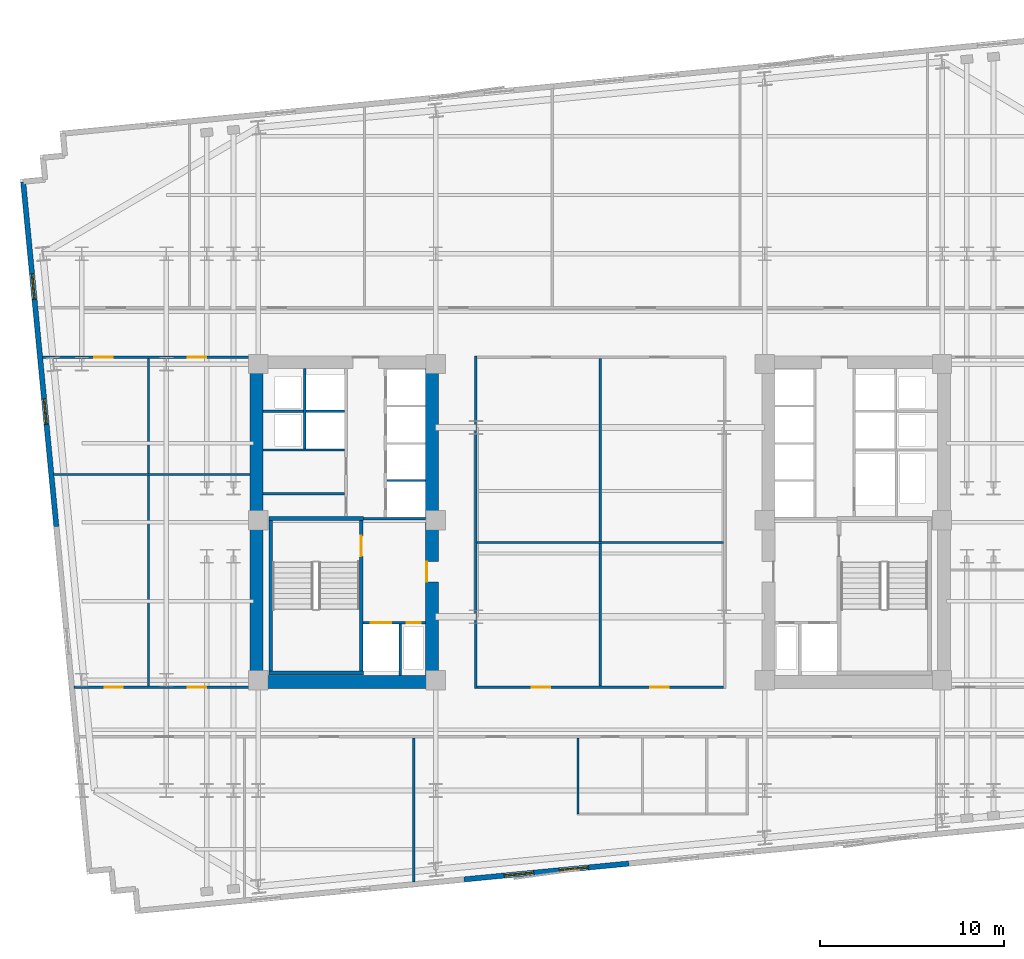
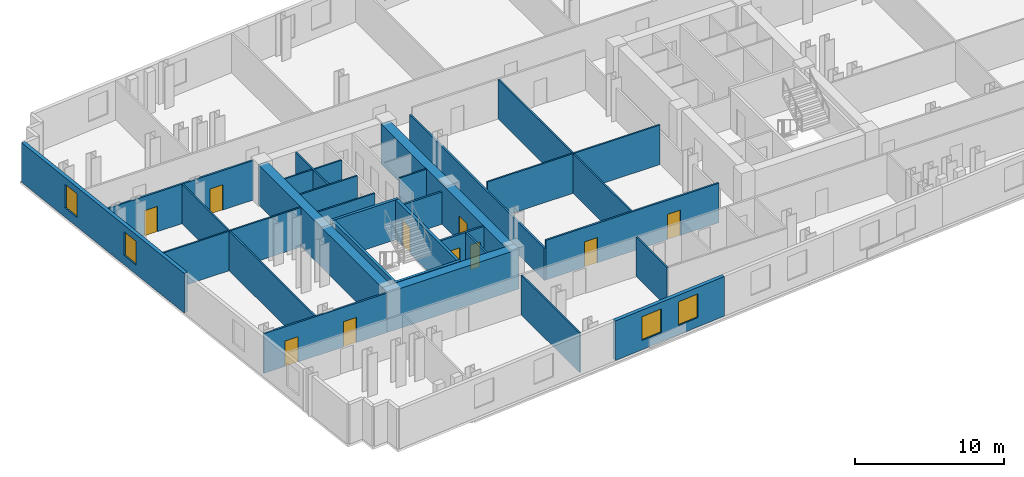
# One storey, part 4 of 11: 28 walls, 10 doors, 4 windows, 14 openings.
"""IFC4 building model written with IfcOpenShell, lengths in metres."""

from ifc_helpers import new_model, si_unit, direction, frame, frame_2d, origin, place, context, subcontext, project, spatial, rectangle, extrude, material, layer, layer_set, type_object, element, fill, save


model = new_model("IFC4")

# Units and contexts
model_context = context("Model", 3, precision=1e-05, world=origin(), true_north=direction((0.0, 1.0)))
body_context = subcontext(model_context, "Body", "Model", "MODEL_VIEW")
ifc_project = project(units=[si_unit("LENGTHUNIT", "METRE"), si_unit("AREAUNIT", "SQUARE_METRE"), si_unit("VOLUMEUNIT", "CUBIC_METRE"), si_unit("PLANEANGLEUNIT", "RADIAN"), si_unit("MASSUNIT", "GRAM", prefix="KILO")], contexts=[model_context])

# Site, building, storey
site_placement = place(None, origin())
site = spatial("IfcSite", under=ifc_project, at=site_placement, CompositionType="ELEMENT")
building_placement = place(site_placement, origin())
building = spatial("IfcBuilding", under=site, at=building_placement, Name="Velakula Bourse", CompositionType="ELEMENT")
storey_placement = place(building_placement, frame((0.0, 0.0, 101.800048828125)))
storey = spatial("IfcBuildingStorey", under=building, at=storey_placement, Name="L27", CompositionType="ELEMENT", Elevation=101.800048828125)

# Wall, opening, door
ifc_material_1 = material(Name="Concrete M50 (fck 50 MPa)", Category="concrete")
ifc_layer_1 = layer(ifc_material_1, 0.2099609375, Name="Concrete M50 (fck 50 MPa)", Category="concrete")
ifc_layer_set_1 = layer_set([ifc_layer_1], Name="Concrete M50 (fck 50 MPa)")
wall_type_1 = type_object("IfcWallType", Name="WL-CORE-210", PredefinedType="SHEAR", material=ifc_layer_set_1)
wall_1_placement = place(storey_placement, frame((-12.9951171875, -8.10009765625, 0.0), z_axis=(0.0, 0.0, 1.0), x_axis=(0.0, 1.0, 0.0)))
wall_1 = element("IfcWall", 1, at=wall_1_placement, inside=storey, type_object=wall_type_1, Name="L27 Core W Stairwell Shear Wall IN", PredefinedType="SHEAR", context=body_context, shape_type="SweptSolid", body=[
    extrude(rectangle(XDim=8.2001953125, YDim=0.2099609375, at=frame_2d((4.10009765625, 0.0))), origin(), (0.0, 0.0, 1.0), 3.27001953125),
])
opening_1_placement = place(wall_1_placement, frame((6.25, 0.0, 0.0)))
opening_1 = element("IfcOpeningElement", 2, at=opening_1_placement, cuts=wall_1, Name="Opening D-STW1", PredefinedType="OPENING", context=body_context, shape_type="SweptSolid", body=[
    extrude(rectangle(XDim=1.10009765625, YDim=2.14990234375, at=frame_2d((0.550048828125, 1.074951171875))), frame((0.0, 0.114990234375, 0.0), z_axis=(0.0, -1.0, 0.0), x_axis=(1.0, 0.0, 0.0)), (0.0, 0.0, 1.0), 0.22998046875),
])
ifc_material_2 = material(Name="Galvanised painted hollow steel fire door", Category="steel")
door_type_1 = type_object("IfcDoorType", Name="DR-FD120-1100x2150", OperationType="NOTDEFINED", PredefinedType="DOOR", material=ifc_material_2)
door_1_placement = place(opening_1_placement, origin())
door_1 = element("IfcDoor", 3, at=door_1_placement, inside=storey, type_object=door_type_1, Name="L27 Stair ST-W1 Fire Door", OperationType="SINGLE_SWING_LEFT", OverallHeight=2.14990234375, OverallWidth=1.10009765625, PredefinedType="DOOR", context=body_context, shape_type="SweptSolid", body=[
    extrude(rectangle(XDim=1.10009765625, YDim=2.14990234375, at=frame_2d((0.550048828125, 1.074951171875))), frame((0.0, 0.02490234375, 0.0), z_axis=(0.0, -1.0, 0.0), x_axis=(1.0, 0.0, 0.0)), (0.0, 0.0, 1.0), 0.050048828125),
])
fill(opening_1, door_1)

# Walls
wall_2_placement = place(storey_placement, frame((-17.925048828125, -8.10009765625, 0.0), z_axis=(0.0, 0.0, 1.0), x_axis=(0.0, 1.0, 0.0)))
element("IfcWall", 4, at=wall_2_placement, inside=storey, type_object=wall_type_1, Name="L27 Core W Stairwell Shear Wall OUT", PredefinedType="SHEAR", context=body_context, shape_type="SweptSolid", body=[
    extrude(rectangle(XDim=8.2001953125, YDim=0.2099609375, at=frame_2d((4.10009765625, 0.0))), origin(), (0.0, 0.0, 1.0), 3.27001953125),
])
for number, where, z_axis, x_axis, name in (
    (5, (-18.030029296875, -8.205078125, 0.0), (0.0, 0.0, 1.0), (1.0, 0.0, 0.0), "L27 Core W Stairwell Shear Wall S"),
    (6, (-12.889892578125, 0.205078125, 0.0), (0.0, 0.0, 1.0), (-1.0, 0.0, 0.0), "L27 Core W Stairwell Shear Wall N"),
):
    element("IfcWall", number, at=place(storey_placement, frame(where, z_axis=z_axis, x_axis=x_axis)), inside=storey, type_object=wall_type_1, Name=name, PredefinedType="SHEAR", context=body_context, shape_type="SweptSolid", body=[
        extrude(rectangle(XDim=5.14013671875, YDim=0.2099609375, at=frame_2d((2.570068359375, 0.0))), origin(), (0.0, 0.0, 1.0), 3.27001953125),
    ])
ifc_material_3 = material(Name="Concrete M70 (fck 70 MPa)", Category="concrete")
ifc_layer_2 = layer(ifc_material_3, 0.699951171875, Name="Concrete M70 (fck 70 MPa)", Category="concrete")
ifc_layer_set_2 = layer_set([ifc_layer_2], Name="Concrete M70 (fck 70 MPa)")
wall_type_2 = type_object("IfcWallType", Name="WL-CORE-700", PredefinedType="SHEAR", material=ifc_layer_set_2)
wall_3_placement = place(storey_placement, frame((-19.050048828125, -8.699951171875, 0.0), z_axis=(0.0, 0.0, 1.0), x_axis=(1.0, 0.0, 0.0)))
element("IfcWall", 7, at=wall_3_placement, inside=storey, type_object=wall_type_2, Name="L27 Core W Shear Wall S", PredefinedType="SHEAR", context=body_context, shape_type="SweptSolid", body=[
    extrude(rectangle(XDim=10.25, YDim=0.699951171875, at=frame_2d((5.125, 0.0))), origin(), (0.0, 0.0, 1.0), 3.27001953125),
])
wall_4_placement = place(storey_placement, frame((-18.699951171875, -8.35009765625, 0.0), z_axis=(0.0, 0.0, 1.0), x_axis=(0.0, 1.0, 0.0)))
element("IfcWall", 8, at=wall_4_placement, inside=storey, type_object=wall_type_2, Name="L27 Core W Shear Wall W", PredefinedType="SHEAR", context=body_context, shape_type="SweptSolid", body=[
    extrude(rectangle(XDim=16.7001953125, YDim=0.699951171875, at=frame_2d((8.35009765625, 0.0))), origin(), (0.0, 0.0, 1.0), 3.27001953125),
])

# Wall, opening, door
wall_5_placement = place(storey_placement, frame((-9.14990234375, -8.35009765625, 0.0), z_axis=(0.0, 0.0, 1.0), x_axis=(0.0, 1.0, 0.0)))
wall_5 = element("IfcWall", 9, at=wall_5_placement, inside=storey, type_object=wall_type_2, Name="L27 Core W Shear Wall E", PredefinedType="SHEAR", context=body_context, shape_type="SweptSolid", body=[
    extrude(rectangle(XDim=16.7001953125, YDim=0.699951171875, at=frame_2d((8.35009765625, 0.0))), origin(), (0.0, 0.0, 1.0), 3.27001953125),
])
opening_2_placement = place(wall_5_placement, frame((5.10009765625, 0.0, 0.0)))
opening_2 = element("IfcOpeningElement", 10, at=opening_2_placement, cuts=wall_5, Name="Opening D-FLW", PredefinedType="OPENING", context=body_context, shape_type="SweptSolid", body=[
    extrude(rectangle(XDim=1.10009765625, YDim=2.080078125, at=frame_2d((0.550048828125, 1.0400390625))), frame((0.0, 0.35986328125, 0.0), z_axis=(0.0, -1.0, 0.0), x_axis=(1.0, 0.0, 0.0)), (0.0, 0.0, 1.0), 0.719970703125),
])
door_type_2 = type_object("IfcDoorType", Name="DR-FD120-1100", OperationType="NOTDEFINED", PredefinedType="DOOR", material=ifc_material_2)
door_2_placement = place(opening_2_placement, origin())
door_2 = element("IfcDoor", 11, at=door_2_placement, inside=storey, type_object=door_type_2, Name="L27 Firefighting Lobby W Corridor Fire Door", OperationType="SINGLE_SWING_LEFT", OverallHeight=2.080078125, OverallWidth=1.10009765625, PredefinedType="DOOR", context=body_context, shape_type="SweptSolid", body=[
    extrude(rectangle(XDim=1.10009765625, YDim=2.080078125, at=frame_2d((0.550048828125, 1.0400390625))), frame((0.0, 0.30517578125, 0.0), z_axis=(0.0, -1.0, 0.0), x_axis=(1.0, 0.0, 0.0)), (0.0, 0.0, 1.0), 0.050048828125),
])
fill(opening_2, door_2)

# Wall, openings, windows
ifc_material_4 = material(Name="Red kilned clay facing brick masonry", Category="masonry")
ifc_layer_3 = layer(ifc_material_4, 0.280029296875, Name="Red kilned clay facing brick masonry", Category="masonry")
ifc_layer_set_3 = layer_set([ifc_layer_3], Name="Red kilned clay facing brick masonry")
wall_type_3 = type_object("IfcWallType", Name="WL-EXT-BRK-280", PredefinedType="STANDARD", material=ifc_layer_set_3)
wall_6_placement = place(storey_placement, frame((1.556396484375, -18.573486328125, 0.0), z_axis=(0.0, 0.0, 1.0), x_axis=(-0.995396794462, -0.09583956164, 0.0)))
wall_6 = element("IfcWall", 12, at=wall_6_placement, inside=storey, type_object=wall_type_3, Name="L27 S Brick Spandrel Wall B2", PredefinedType="STANDARD", context=body_context, shape_type="SweptSolid", body=[
    extrude(rectangle(XDim=9.0, YDim=0.280029296875, at=frame_2d((4.5, 0.0))), origin(), (0.0, 0.0, 1.0), 3.25),
])
opening_3_placement = place(wall_6_placement, frame((2.199951171875, 0.0, 0.760009765625)))
opening_3 = element("IfcOpeningElement", 13, at=opening_3_placement, cuts=wall_6, Name="Opening W-02", PredefinedType="OPENING", context=body_context, shape_type="SweptSolid", body=[
    extrude(rectangle(XDim=1.60009765625, YDim=1.949951171875, at=frame_2d((0.800048828125, 0.97509765625))), frame((0.0, 0.14990234375, 0.0), z_axis=(0.0, -1.0, 0.0), x_axis=(1.0, 0.0, 0.0)), (0.0, 0.0, 1.0), 0.300048828125),
])
opening_4_placement = place(wall_6_placement, frame((5.199951171875, 0.0, 0.760009765625)))
opening_4 = element("IfcOpeningElement", 14, at=opening_4_placement, cuts=wall_6, Name="Opening W-02", PredefinedType="OPENING", context=body_context, shape_type="SweptSolid", body=[
    extrude(rectangle(XDim=1.60009765625, YDim=1.949951171875, at=frame_2d((0.800048828125, 0.97509765625))), frame((0.0, 0.14990234375, 0.0), z_axis=(0.0, -1.0, 0.0), x_axis=(1.0, 0.0, 0.0)), (0.0, 0.0, 1.0), 0.300048828125),
])
ifc_material_5 = material(Name="Double-glazed solar-control Low-E glass", Category="glass")
window_type_1 = type_object("IfcWindowType", Name="WIN-TWR-1600x2100", PartitioningType="SINGLE_PANEL", PredefinedType="WINDOW", material=ifc_material_5)
window_1_placement = place(opening_3_placement, origin())
window_1 = element("IfcWindow", 15, at=window_1_placement, inside=storey, type_object=window_type_1, Name="L27 Deep-Set Recessed Window 1", OverallHeight=1.949951171875, OverallWidth=1.60009765625, PartitioningType="SINGLE_PANEL", PredefinedType="WINDOW", context=body_context, shape_type="SweptSolid", body=[
    extrude(rectangle(XDim=1.60009765625, YDim=1.949951171875, at=frame_2d((0.800048828125, 0.97509765625))), frame((0.0, 0.030029296875, 0.0), z_axis=(0.0, -1.0, 0.0), x_axis=(1.0, 0.0, 0.0)), (0.0, 0.0, 1.0), 0.06005859375),
])
fill(opening_3, window_1)
window_2_placement = place(opening_4_placement, origin())
window_2 = element("IfcWindow", 16, at=window_2_placement, inside=storey, type_object=window_type_1, Name="L27 Deep-Set Recessed Window 2", OverallHeight=1.949951171875, OverallWidth=1.60009765625, PartitioningType="SINGLE_PANEL", PredefinedType="WINDOW", context=body_context, shape_type="SweptSolid", body=[
    extrude(rectangle(XDim=1.60009765625, YDim=1.949951171875, at=frame_2d((0.800048828125, 0.97509765625))), frame((0.0, 0.030029296875, 0.0), z_axis=(0.0, -1.0, 0.0), x_axis=(1.0, 0.0, 0.0)), (0.0, 0.0, 1.0), 0.06005859375),
])
fill(opening_4, window_2)

wall_7_placement = place(storey_placement, frame((-29.584716796875, -0.23388671875, 0.0), z_axis=(0.0, 0.0, 1.0), x_axis=(-0.095841297881, 0.99539662729, 0.0)))
wall_7 = element("IfcWall", 17, at=wall_7_placement, inside=storey, type_object=wall_type_3, Name="L27 W Brick End Wall W2", PredefinedType="STANDARD", context=body_context, shape_type="SweptSolid", body=[
    extrude(rectangle(XDim=18.840087890625, YDim=0.280029296875, at=frame_2d((9.419921875, 0.0))), origin(), (0.0, 0.0, 1.0), 3.25),
])
opening_5_placement = place(wall_7_placement, frame((5.580078125, 0.0, 0.760009765625)))
opening_5 = element("IfcOpeningElement", 18, at=opening_5_placement, cuts=wall_7, Name="Opening W-03", PredefinedType="OPENING", context=body_context, shape_type="SweptSolid", body=[
    extrude(rectangle(XDim=1.39990234375, YDim=1.949951171875, at=frame_2d((0.699951171875, 0.97509765625))), frame((0.0, 0.14990234375, 0.0), z_axis=(0.0, -1.0, 0.0), x_axis=(1.0, 0.0, 0.0)), (0.0, 0.0, 1.0), 0.300048828125),
])
opening_6_placement = place(wall_7_placement, frame((12.409912109375, 0.0, 0.760009765625)))
opening_6 = element("IfcOpeningElement", 19, at=opening_6_placement, cuts=wall_7, Name="Opening W-03", PredefinedType="OPENING", context=body_context, shape_type="SweptSolid", body=[
    extrude(rectangle(XDim=1.39990234375, YDim=1.949951171875, at=frame_2d((0.699951171875, 0.97509765625))), frame((0.0, 0.14990234375, 0.0), z_axis=(0.0, -1.0, 0.0), x_axis=(1.0, 0.0, 0.0)), (0.0, 0.0, 1.0), 0.300048828125),
])
window_type_2 = type_object("IfcWindowType", Name="WIN-TWR-1400x2100", PartitioningType="SINGLE_PANEL", PredefinedType="WINDOW", material=ifc_material_5)
window_3_placement = place(opening_5_placement, origin())
window_3 = element("IfcWindow", 20, at=window_3_placement, inside=storey, type_object=window_type_2, Name="L27 Deep-Set Recessed Window 1", OverallHeight=1.949951171875, OverallWidth=1.39990234375, PartitioningType="SINGLE_PANEL", PredefinedType="WINDOW", context=body_context, shape_type="SweptSolid", body=[
    extrude(rectangle(XDim=1.39990234375, YDim=1.949951171875, at=frame_2d((0.699951171875, 0.97509765625))), frame((0.0, 0.030029296875, 0.0), z_axis=(0.0, -1.0, 0.0), x_axis=(1.0, 0.0, 0.0)), (0.0, 0.0, 1.0), 0.06005859375),
])
fill(opening_5, window_3)
window_4_placement = place(opening_6_placement, origin())
window_4 = element("IfcWindow", 21, at=window_4_placement, inside=storey, type_object=window_type_2, Name="L27 Deep-Set Recessed Window 2", OverallHeight=1.949951171875, OverallWidth=1.39990234375, PartitioningType="SINGLE_PANEL", PredefinedType="WINDOW", context=body_context, shape_type="SweptSolid", body=[
    extrude(rectangle(XDim=1.39990234375, YDim=1.949951171875, at=frame_2d((0.699951171875, 0.97509765625))), frame((0.0, 0.030029296875, 0.0), z_axis=(0.0, -1.0, 0.0), x_axis=(1.0, 0.0, 0.0)), (0.0, 0.0, 1.0), 0.06005859375),
])
fill(opening_6, window_4)

# Walls
ifc_material_6 = material(Name="Fire-rated double-layer gypsum drywall partition", Category="gypsum")
ifc_layer_4 = layer(ifc_material_6, 0.1201171875, Name="Fire-rated double-layer gypsum drywall partition", Category="gypsum")
ifc_layer_set_4 = layer_set([ifc_layer_4], Name="Fire-rated double-layer gypsum drywall partition")
wall_type_4 = type_object("IfcWallType", Name="WL-PART-120", PredefinedType="STANDARD", material=ifc_layer_set_4)
wall_8_placement = place(storey_placement, frame((-11.60009765625, 2.2548828125, 0.0), z_axis=(0.0, 0.0, 1.0), x_axis=(1.0, 0.0, 0.0)))
element("IfcWall", 22, at=wall_8_placement, inside=storey, type_object=wall_type_4, Name="L27 Interior Partition WL-CRW-L27-BDIV-0", PredefinedType="STANDARD", context=body_context, shape_type="SweptSolid", body=[
    extrude(rectangle(XDim=2.10009765625, YDim=0.110107421875, at=frame_2d((1.050048828125, 0.0))), origin(), (0.0, 0.0, 1.0), 3.25),
])
wall_9_placement = place(storey_placement, frame((-18.35009765625, 3.919921875, 0.0), z_axis=(0.0, 0.0, 1.0), x_axis=(1.0, 0.0, 0.0)))
element("IfcWall", 23, at=wall_9_placement, inside=storey, type_object=wall_type_4, Name="L27 Interior Partition WL-CRW-L27-HI-S", PredefinedType="STANDARD", context=body_context, shape_type="SweptSolid", body=[
    extrude(rectangle(XDim=4.4501953125, YDim=0.1201171875, at=frame_2d((2.22509765625, 0.0))), origin(), (0.0, 0.0, 1.0), 3.25),
])
wall_10_placement = place(storey_placement, frame((-18.35009765625, 6.030029296875, 0.0), z_axis=(0.0, 0.0, 1.0), x_axis=(1.0, 0.0, 0.0)))
element("IfcWall", 24, at=wall_10_placement, inside=storey, type_object=wall_type_4, Name="L27 Interior Partition WL-CRW-L27-RIS-MID", PredefinedType="STANDARD", context=body_context, shape_type="SweptSolid", body=[
    extrude(rectangle(XDim=2.2001953125, YDim=0.1201171875, at=frame_2d((1.10009765625, 0.0))), origin(), (0.0, 0.0, 1.0), 3.25),
])
wall_11_placement = place(storey_placement, frame((-16.074951171875, 3.97998046875, 0.0), z_axis=(0.0, 0.0, 1.0), x_axis=(0.0, 1.0, 0.0)))
element("IfcWall", 25, at=wall_11_placement, inside=storey, type_object=wall_type_4, Name="L27 Interior Partition WL-CRW-L27-RIS-F", PredefinedType="STANDARD", context=body_context, shape_type="SweptSolid", body=[
    extrude(rectangle(XDim=4.3701171875, YDim=0.1201171875, at=frame_2d((2.18505859375, 0.0))), origin(), (0.0, 0.0, 1.0), 3.25),
])
wall_12_placement = place(storey_placement, frame((-16.0, 6.030029296875, 0.0), z_axis=(0.0, 0.0, 1.0), x_axis=(1.0, 0.0, 0.0)))
element("IfcWall", 26, at=wall_12_placement, inside=storey, type_object=wall_type_4, Name="L27 Interior Partition WL-CRW-L27-HI-DIV", PredefinedType="STANDARD", context=body_context, shape_type="SweptSolid", body=[
    extrude(rectangle(XDim=2.10009765625, YDim=0.1201171875, at=frame_2d((1.050048828125, 0.0))), origin(), (0.0, 0.0, 1.0), 3.25),
])
wall_13_placement = place(storey_placement, frame((-18.35009765625, 1.550048828125, 0.0), z_axis=(0.0, 0.0, 1.0), x_axis=(1.0, 0.0, 0.0)))
element("IfcWall", 27, at=wall_13_placement, inside=storey, type_object=wall_type_4, Name="L27 Interior Partition WL-CRW-L27-K1", PredefinedType="STANDARD", context=body_context, shape_type="SweptSolid", body=[
    extrude(rectangle(XDim=4.4501953125, YDim=0.1201171875, at=frame_2d((2.22509765625, 0.0))), origin(), (0.0, 0.0, 1.0), 3.25),
])
wall_14_placement = place(storey_placement, frame((-1.199951171875, -15.8701171875, 0.0), z_axis=(0.0, 0.0, 1.0), x_axis=(0.0, 1.0, 0.0)))
element("IfcWall", 28, at=wall_14_placement, inside=storey, type_object=wall_type_4, Name="L27 Interior Partition WL-WC-L27-V1", PredefinedType="STANDARD", context=body_context, shape_type="SweptSolid", body=[
    extrude(rectangle(XDim=4.130126953125, YDim=0.1201171875, at=frame_2d((2.06494140625, 0.0))), origin(), (0.0, 0.0, 1.0), 3.25),
])
wall_15_placement = place(storey_placement, frame((-10.14208984375, -19.579345703125, 0.0), z_axis=(0.0, 0.0, 1.0), x_axis=(0.0, 1.0, 0.0)))
element("IfcWall", 29, at=wall_15_placement, inside=storey, type_object=wall_type_4, Name="L27 Interior Partition WL-INT-L27-SL-D6", PredefinedType="STANDARD", context=body_context, shape_type="SweptSolid", body=[
    extrude(rectangle(XDim=7.83935546875, YDim=0.1201171875, at=frame_2d((3.919677734375, 0.0))), origin(), (0.0, 0.0, 1.0), 3.25),
])
wall_16_placement = place(storey_placement, frame((-29.737060546875, 2.60009765625, 0.0), z_axis=(0.0, 0.0, 1.0), x_axis=(1.0, 0.0, 0.0)))
element("IfcWall", 30, at=wall_16_placement, inside=storey, type_object=wall_type_4, Name="L27 Interior Partition WL-INT-L27-W-H", PredefinedType="STANDARD", context=body_context, shape_type="SweptSolid", body=[
    extrude(rectangle(XDim=10.68701171875, YDim=0.1201171875, at=frame_2d((5.343505859375, 0.0))), origin(), (0.0, 0.0, 1.0), 3.25),
])
wall_17_placement = place(storey_placement, frame((-24.571044921875, -8.97998046875, 0.0), z_axis=(0.0, 0.0, 1.0), x_axis=(0.0, 1.0, 0.0)))
element("IfcWall", 31, at=wall_17_placement, inside=storey, type_object=wall_type_4, Name="L27 Interior Partition WL-INT-L27-W-V1", PredefinedType="STANDARD", context=body_context, shape_type="SweptSolid", body=[
    extrude(rectangle(XDim=17.9599609375, YDim=0.1201171875, at=frame_2d((8.97998046875, 0.0))), origin(), (0.0, 0.0, 1.0), 3.25),
])

# Wall, openings, doors
ifc_layer_5 = layer(ifc_material_6, 0.139892578125, Name="Fire-rated double-layer gypsum drywall partition", Category="gypsum")
ifc_layer_set_5 = layer_set([ifc_layer_5], Name="Fire-rated double-layer gypsum drywall partition")
wall_type_5 = type_object("IfcWallType", Name="WL-PART-140", PredefinedType="STANDARD", material=ifc_layer_set_5)
wall_18_placement = place(storey_placement, frame((-30.351318359375, 8.97998046875, 0.0), z_axis=(0.0, 0.0, 1.0), x_axis=(1.0, 0.0, 0.0)))
wall_18 = element("IfcWall", 32, at=wall_18_placement, inside=storey, type_object=wall_type_5, Name="L27 Interior Partition WL-INT-L27-W-NC", PredefinedType="STANDARD", context=body_context, shape_type="SweptSolid", body=[
    extrude(rectangle(XDim=11.30126953125, YDim=0.139892578125, at=frame_2d((5.650634765625, 0.0))), origin(), (0.0, 0.0, 1.0), 3.25),
])
opening_7_placement = place(wall_18_placement, frame((2.83447265625, 0.0, 0.0)))
opening_7 = element("IfcOpeningElement", 33, at=opening_7_placement, cuts=wall_18, Name="Opening D-OF1", PredefinedType="OPENING", context=body_context, shape_type="SweptSolid", body=[
    extrude(rectangle(XDim=1.0, YDim=2.080078125, at=frame_2d((0.5, 1.0400390625))), frame((0.0, 0.079833984375, 0.0), z_axis=(0.0, -1.0, 0.0), x_axis=(1.0, 0.0, 0.0)), (0.0, 0.0, 1.0), 0.159912109375),
])
opening_8_placement = place(wall_18_placement, frame((7.910888671875, 0.0, 0.0)))
opening_8 = element("IfcOpeningElement", 34, at=opening_8_placement, cuts=wall_18, Name="Opening D-OF1", PredefinedType="OPENING", context=body_context, shape_type="SweptSolid", body=[
    extrude(rectangle(XDim=1.0, YDim=2.080078125, at=frame_2d((0.5, 1.0400390625))), frame((0.0, 0.079833984375, 0.0), z_axis=(0.0, -1.0, 0.0), x_axis=(1.0, 0.0, 0.0)), (0.0, 0.0, 1.0), 0.159912109375),
])
ifc_material_7 = material(Name="Fire-rated hardwood flush architectural door", Category="wood")
door_type_3 = type_object("IfcDoorType", Name="DR-OFF-1000", OperationType="NOTDEFINED", PredefinedType="DOOR", material=ifc_material_7)
door_3_placement = place(opening_7_placement, origin())
door_3 = element("IfcDoor", 35, at=door_3_placement, inside=storey, type_object=door_type_3, Name="L27 Margin Control Office Door", OperationType="SINGLE_SWING_LEFT", OverallHeight=2.080078125, OverallWidth=1.0, PredefinedType="DOOR", context=body_context, shape_type="SweptSolid", body=[
    extrude(rectangle(XDim=1.0, YDim=2.080078125, at=frame_2d((0.5, 1.0400390625))), frame((0.0, 0.02490234375, 0.0), z_axis=(0.0, -1.0, 0.0), x_axis=(1.0, 0.0, 0.0)), (0.0, 0.0, 1.0), 0.050048828125),
])
fill(opening_7, door_3)
door_4_placement = place(opening_8_placement, origin())
door_4 = element("IfcDoor", 36, at=door_4_placement, inside=storey, type_object=door_type_3, Name="L27 Listing Committee Chamber Door", OperationType="SINGLE_SWING_RIGHT", OverallHeight=2.080078125, OverallWidth=1.0, PredefinedType="DOOR", context=body_context, shape_type="SweptSolid", body=[
    extrude(rectangle(XDim=1.0, YDim=2.080078125, at=frame_2d((0.5, 1.0400390625))), frame((0.0, 0.02490234375, 0.0), z_axis=(0.0, -1.0, 0.0), x_axis=(1.0, 0.0, 0.0)), (0.0, 0.0, 1.0), 0.050048828125),
])
fill(opening_8, door_4)

wall_19_placement = place(storey_placement, frame((-28.6220703125, -8.97998046875, 0.0), z_axis=(0.0, 0.0, 1.0), x_axis=(1.0, 0.0, 0.0)))
wall_19 = element("IfcWall", 37, at=wall_19_placement, inside=storey, type_object=wall_type_5, Name="L27 Interior Partition WL-INT-L27-W-SC", PredefinedType="STANDARD", context=body_context, shape_type="SweptSolid", body=[
    extrude(rectangle(XDim=9.572021484375, YDim=0.139892578125, at=frame_2d((4.7861328125, 0.0))), origin(), (0.0, 0.0, 1.0), 3.25),
])
opening_9_placement = place(wall_19_placement, frame((1.655517578125, 0.0, 0.0)))
opening_9 = element("IfcOpeningElement", 38, at=opening_9_placement, cuts=wall_19, Name="Opening D-OF1", PredefinedType="OPENING", context=body_context, shape_type="SweptSolid", body=[
    extrude(rectangle(XDim=1.0, YDim=2.080078125, at=frame_2d((0.5, 1.0400390625))), frame((0.0, 0.079833984375, 0.0), z_axis=(0.0, -1.0, 0.0), x_axis=(1.0, 0.0, 0.0)), (0.0, 0.0, 1.0), 0.159912109375),
])
opening_10_placement = place(wall_19_placement, frame((6.181396484375, 0.0, 0.0)))
opening_10 = element("IfcOpeningElement", 39, at=opening_10_placement, cuts=wall_19, Name="Opening D-OF1", PredefinedType="OPENING", context=body_context, shape_type="SweptSolid", body=[
    extrude(rectangle(XDim=1.0, YDim=2.080078125, at=frame_2d((0.5, 1.0400390625))), frame((0.0, 0.079833984375, 0.0), z_axis=(0.0, -1.0, 0.0), x_axis=(1.0, 0.0, 0.0)), (0.0, 0.0, 1.0), 0.159912109375),
])
door_5_placement = place(opening_9_placement, origin())
door_5 = element("IfcDoor", 40, at=door_5_placement, inside=storey, type_object=door_type_3, Name="L27 Margin Control Office Door", OperationType="SINGLE_SWING_LEFT", OverallHeight=2.080078125, OverallWidth=1.0, PredefinedType="DOOR", context=body_context, shape_type="SweptSolid", body=[
    extrude(rectangle(XDim=1.0, YDim=2.080078125, at=frame_2d((0.5, 1.0400390625))), frame((0.0, 0.02490234375, 0.0), z_axis=(0.0, -1.0, 0.0), x_axis=(1.0, 0.0, 0.0)), (0.0, 0.0, 1.0), 0.050048828125),
])
fill(opening_9, door_5)
door_6_placement = place(opening_10_placement, origin())
door_6 = element("IfcDoor", 41, at=door_6_placement, inside=storey, type_object=door_type_3, Name="L27 Listing Committee Chamber Door", OperationType="SINGLE_SWING_RIGHT", OverallHeight=2.080078125, OverallWidth=1.0, PredefinedType="DOOR", context=body_context, shape_type="SweptSolid", body=[
    extrude(rectangle(XDim=1.0, YDim=2.080078125, at=frame_2d((0.5, 1.0400390625))), frame((0.0, 0.02490234375, 0.0), z_axis=(0.0, -1.0, 0.0), x_axis=(1.0, 0.0, 0.0)), (0.0, 0.0, 1.0), 0.050048828125),
])
fill(opening_10, door_6)

# Wall
wall_20_placement = place(storey_placement, frame((-6.780029296875, -9.050048828125, 0.0), z_axis=(0.0, 0.0, 1.0), x_axis=(0.0, 1.0, 0.0)))
element("IfcWall", 42, at=wall_20_placement, inside=storey, type_object=wall_type_5, Name="L27 Interior Partition WL-INT-L27-MID-W", PredefinedType="STANDARD", context=body_context, shape_type="SweptSolid", body=[
    extrude(rectangle(XDim=18.10009765625, YDim=0.139892578125, at=frame_2d((9.050048828125, 0.0))), origin(), (0.0, 0.0, 1.0), 2.64501953125),
])

# Wall, openings, doors
wall_21_placement = place(storey_placement, frame((-6.7099609375, -8.97998046875, 0.0), z_axis=(0.0, 0.0, 1.0), x_axis=(1.0, 0.0, 0.0)))
wall_21 = element("IfcWall", 43, at=wall_21_placement, inside=storey, type_object=wall_type_5, Name="L27 Interior Partition WL-INT-L27-MID-S", PredefinedType="STANDARD", context=body_context, shape_type="SweptSolid", body=[
    extrude(rectangle(XDim=13.419921875, YDim=0.139892578125, at=frame_2d((6.7099609375, 0.0))), origin(), (0.0, 0.0, 1.0), 3.25),
])
opening_11_placement = place(wall_21_placement, frame((2.98095703125, 0.0, 0.0)))
opening_11 = element("IfcOpeningElement", 44, at=opening_11_placement, cuts=wall_21, Name="Opening D-OF1", PredefinedType="OPENING", context=body_context, shape_type="SweptSolid", body=[
    extrude(rectangle(XDim=1.0, YDim=2.080078125, at=frame_2d((0.5, 1.0400390625))), frame((0.0, 0.079833984375, 0.0), z_axis=(0.0, -1.0, 0.0), x_axis=(1.0, 0.0, 0.0)), (0.0, 0.0, 1.0), 0.159912109375),
])
opening_12_placement = place(wall_21_placement, frame((9.43896484375, 0.0, 0.0)))
opening_12 = element("IfcOpeningElement", 45, at=opening_12_placement, cuts=wall_21, Name="Opening D-OF1", PredefinedType="OPENING", context=body_context, shape_type="SweptSolid", body=[
    extrude(rectangle(XDim=1.0, YDim=2.080078125, at=frame_2d((0.5, 1.0400390625))), frame((0.0, 0.079833984375, 0.0), z_axis=(0.0, -1.0, 0.0), x_axis=(1.0, 0.0, 0.0)), (0.0, 0.0, 1.0), 0.159912109375),
])
door_7_placement = place(opening_11_placement, origin())
door_7 = element("IfcDoor", 46, at=door_7_placement, inside=storey, type_object=door_type_3, Name="L27 Brokerage Caucus Room SW Door", OperationType="SINGLE_SWING_LEFT", OverallHeight=2.080078125, OverallWidth=1.0, PredefinedType="DOOR", context=body_context, shape_type="SweptSolid", body=[
    extrude(rectangle(XDim=1.0, YDim=2.080078125, at=frame_2d((0.5, 1.0400390625))), frame((0.0, 0.02490234375, 0.0), z_axis=(0.0, -1.0, 0.0), x_axis=(1.0, 0.0, 0.0)), (0.0, 0.0, 1.0), 0.050048828125),
])
fill(opening_11, door_7)
door_8_placement = place(opening_12_placement, origin())
door_8 = element("IfcDoor", 47, at=door_8_placement, inside=storey, type_object=door_type_3, Name="L27 Brokerage Caucus Room SE Door", OperationType="SINGLE_SWING_RIGHT", OverallHeight=2.080078125, OverallWidth=1.0, PredefinedType="DOOR", context=body_context, shape_type="SweptSolid", body=[
    extrude(rectangle(XDim=1.0, YDim=2.080078125, at=frame_2d((0.5, 1.0400390625))), frame((0.0, 0.02490234375, 0.0), z_axis=(0.0, -1.0, 0.0), x_axis=(1.0, 0.0, 0.0)), (0.0, 0.0, 1.0), 0.050048828125),
])
fill(opening_12, door_8)

# Walls
wall_22_placement = place(storey_placement, frame((-6.7099609375, -1.10009765625, 0.0), z_axis=(0.0, 0.0, 1.0), x_axis=(1.0, 0.0, 0.0)))
element("IfcWall", 48, at=wall_22_placement, inside=storey, type_object=wall_type_5, Name="L27 Interior Partition WL-INT-L27-MD4H", PredefinedType="STANDARD", context=body_context, shape_type="SweptSolid", body=[
    extrude(rectangle(XDim=13.419921875, YDim=0.1201171875, at=frame_2d((6.7099609375, 0.0))), origin(), (0.0, 0.0, 1.0), 3.25),
])
wall_23_placement = place(storey_placement, frame((0.0, -8.909912109375, 0.0), z_axis=(0.0, 0.0, 1.0), x_axis=(0.0, 1.0, 0.0)))
element("IfcWall", 49, at=wall_23_placement, inside=storey, type_object=wall_type_5, Name="L27 Interior Partition WL-INT-L27-MD4V", PredefinedType="STANDARD", context=body_context, shape_type="SweptSolid", body=[
    extrude(rectangle(XDim=17.81982421875, YDim=0.1201171875, at=frame_2d((8.909912109375, 0.0))), origin(), (0.0, 0.0, 1.0), 3.25),
])

# Wall, openings, doors
ifc_material_8 = material(Name="Autoclaved aerated concrete blockwork masonry", Category="masonry")
ifc_layer_6 = layer(ifc_material_8, 0.14990234375, Name="Autoclaved aerated concrete blockwork masonry", Category="masonry")
ifc_layer_set_6 = layer_set([ifc_layer_6], Name="Autoclaved aerated concrete blockwork masonry")
wall_type_6 = type_object("IfcWallType", Name="WL-SHAFT-150", PredefinedType="STANDARD", material=ifc_layer_set_6)
wall_24_placement = place(storey_placement, frame((-12.89501953125, -5.47509765625, 0.0), z_axis=(0.0, 0.0, 1.0), x_axis=(1.0, 0.0, 0.0)))
wall_24 = element("IfcWall", 50, at=wall_24_placement, inside=storey, type_object=wall_type_6, Name="L27 Interior Partition WL-CRW-L27-FFL-N", PredefinedType="STANDARD", context=body_context, shape_type="SweptSolid", body=[
    extrude(rectangle(XDim=3.39501953125, YDim=0.14990234375, at=frame_2d((1.697509765625, 0.0))), origin(), (0.0, 0.0, 1.0), 3.25),
])
opening_13_placement = place(wall_24_placement, frame((0.419921875, 0.0, 0.0)))
opening_13 = element("IfcOpeningElement", 51, at=opening_13_placement, cuts=wall_24, Name="Opening LD-FFL-1", PredefinedType="OPENING", context=body_context, shape_type="SweptSolid", body=[
    extrude(rectangle(XDim=1.10009765625, YDim=2.14990234375, at=frame_2d((0.550048828125, 1.074951171875))), frame((0.0, 0.0849609375, 0.0), z_axis=(0.0, -1.0, 0.0), x_axis=(1.0, 0.0, 0.0)), (0.0, 0.0, 1.0), 0.169921875),
])
opening_14_placement = place(wall_24_placement, frame((2.3701171875, 0.0, 0.0)))
opening_14 = element("IfcOpeningElement", 52, at=opening_14_placement, cuts=wall_24, Name="Opening D-RS1", PredefinedType="OPENING", context=body_context, shape_type="SweptSolid", body=[
    extrude(rectangle(XDim=0.75, YDim=2.050048828125, at=frame_2d((0.375, 1.02490234375))), frame((0.0, 0.0849609375, 0.0), z_axis=(0.0, -1.0, 0.0), x_axis=(1.0, 0.0, 0.0)), (0.0, 0.0, 1.0), 0.169921875),
])
door_type_4 = type_object("IfcDoorType", Name="DR-RISER-800", OperationType="NOTDEFINED", PredefinedType="DOOR", material=ifc_material_2)
door_9_placement = place(opening_14_placement, origin())
door_9 = element("IfcDoor", 53, at=door_9_placement, inside=storey, type_object=door_type_4, Name="L27 Fire Riser Access Door", OperationType="SINGLE_SWING_LEFT", OverallHeight=2.050048828125, OverallWidth=0.75, PredefinedType="DOOR", context=body_context, shape_type="SweptSolid", body=[
    extrude(rectangle(XDim=0.75, YDim=2.050048828125, at=frame_2d((0.375, 1.02490234375))), frame((0.0, 0.02490234375, 0.0), z_axis=(0.0, -1.0, 0.0), x_axis=(1.0, 0.0, 0.0)), (0.0, 0.0, 1.0), 0.050048828125),
])
fill(opening_14, door_9)
ifc_material_9 = material(Name="Brushed grade 316 stainless steel", Category="steel")
door_type_5 = type_object("IfcDoorType", Name="DR-SLIDE-FFL-1100", OperationType="DOUBLE_DOOR_SLIDING", PredefinedType="DOOR", material=ifc_material_9)
door_10_placement = place(opening_13_placement, origin())
door_10 = element("IfcDoor", 54, at=door_10_placement, inside=storey, type_object=door_type_5, Name="L27 Firefighting Lift FFL-1 Sliding Landing Door", OperationType="DOUBLE_DOOR_SLIDING", OverallHeight=2.14990234375, OverallWidth=1.10009765625, PredefinedType="DOOR", context=body_context, shape_type="SweptSolid", body=[
    extrude(rectangle(XDim=1.10009765625, YDim=2.14990234375, at=frame_2d((0.550048828125, 1.074951171875))), frame((0.0, 0.02490234375, 0.0), z_axis=(0.0, -1.0, 0.0), x_axis=(1.0, 0.0, 0.0)), (0.0, 0.0, 1.0), 0.050048828125),
])
fill(opening_13, door_10)

# Walls
wall_25_placement = place(storey_placement, frame((-10.875, -8.35009765625, 0.0), z_axis=(0.0, 0.0, 1.0), x_axis=(0.0, 1.0, 0.0)))
element("IfcWall", 55, at=wall_25_placement, inside=storey, type_object=wall_type_6, Name="L27 Interior Partition WL-CRW-L27-FR-DIV", PredefinedType="STANDARD", context=body_context, shape_type="SweptSolid", body=[
    extrude(rectangle(XDim=2.800048828125, YDim=0.14990234375, at=frame_2d((1.39990234375, 0.0))), origin(), (0.0, 0.0, 1.0), 3.25),
])
wall_26_placement = place(storey_placement, frame((-12.889892578125, 0.18994140625, 0.0), z_axis=(0.0, 0.0, 1.0), x_axis=(1.0, 0.0, 0.0)))
element("IfcWall", 56, at=wall_26_placement, inside=storey, type_object=wall_type_6, Name="L27 Interior Partition WL-CRW-L27-FF-TOP", PredefinedType="STANDARD", context=body_context, shape_type="SweptSolid", body=[
    extrude(rectangle(XDim=3.389892578125, YDim=0.14990234375, at=frame_2d((1.69482421875, 0.0))), origin(), (0.0, 0.0, 1.0), 2.64501953125),
])

save(model, "model.ifc")
